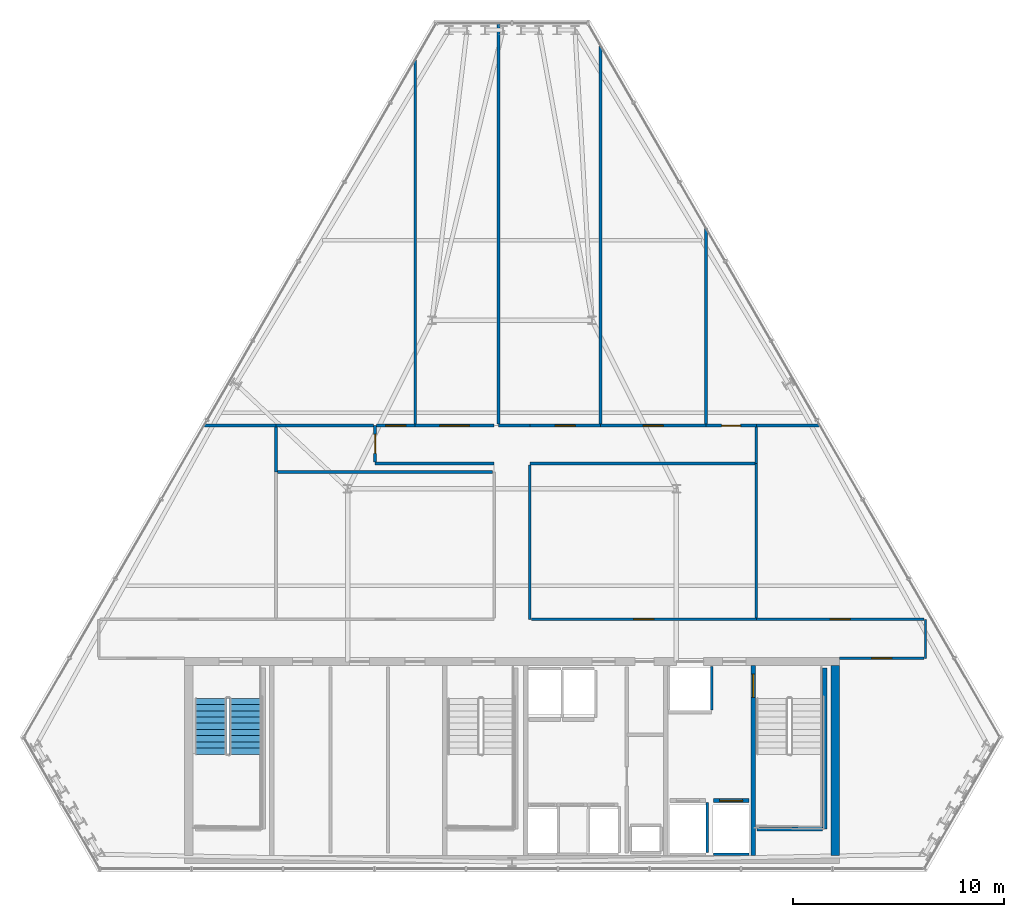
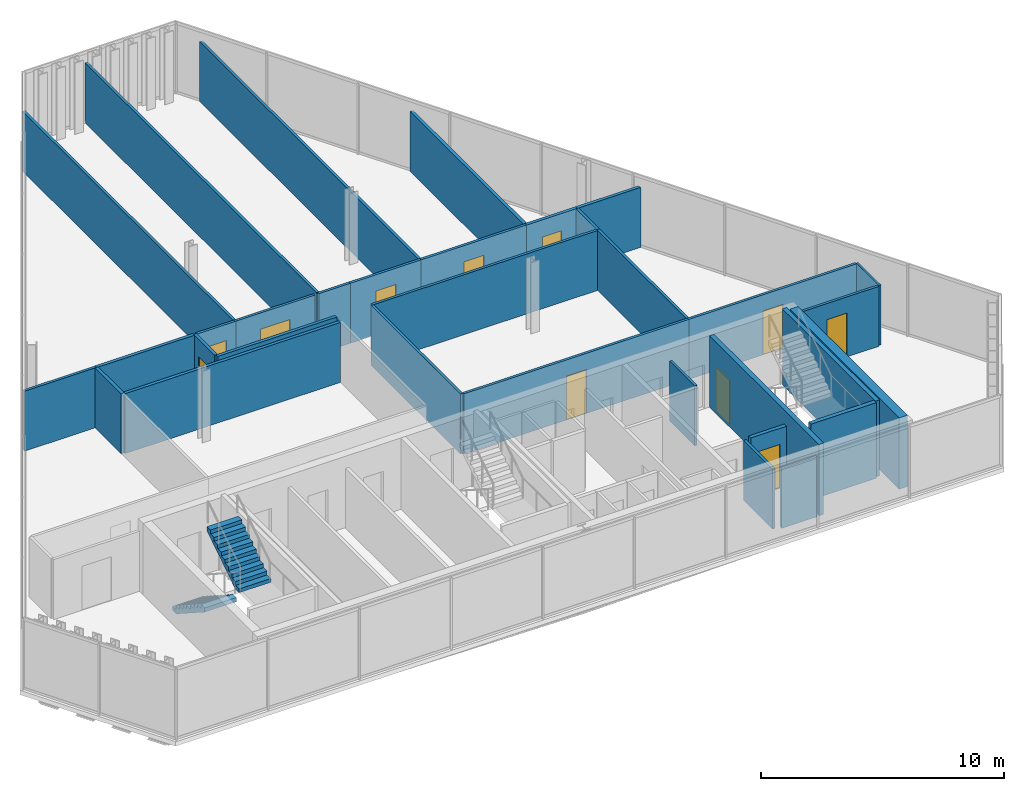
# One storey, part 25 of 29: 33 walls, 11 doors, 2 stair flights, 11 openings, 1 element without a shape of its own.
"""IFC4 building model written with IfcOpenShell, lengths in metres."""

from ifc_helpers import new_model, si_unit, direction, frame, frame_2d, origin, place, context, subcontext, project, spatial, polyline, rectangle, outline, extrude, material, layer, layer_set, type_object, element, fill, aggregate, save


model = new_model("IFC4")

# Units and contexts
model_context = context("Model", 3, precision=1e-05, world=origin(), true_north=direction((0.0, 1.0)))
body_context = subcontext(model_context, "Body", "Model", "MODEL_VIEW")
ifc_project = project(units=[si_unit("LENGTHUNIT", "METRE"), si_unit("AREAUNIT", "SQUARE_METRE"), si_unit("VOLUMEUNIT", "CUBIC_METRE"), si_unit("PLANEANGLEUNIT", "RADIAN"), si_unit("MASSUNIT", "GRAM", prefix="KILO")], contexts=[model_context])

# Site, building, storey
site_placement = place(None, origin())
site = spatial("IfcSite", under=ifc_project, at=site_placement, CompositionType="ELEMENT")
building_placement = place(site_placement, origin())
building = spatial("IfcBuilding", under=site, at=building_placement, Name="Ndaravel Arena Tower", CompositionType="ELEMENT")
storey_placement = place(building_placement, frame((0.0, 0.0, 233.199951171875)))
storey = spatial("IfcBuildingStorey", under=building, at=storey_placement, Name="L56", CompositionType="ELEMENT", Elevation=233.199951171875)

# Wall, opening, door
ifc_material_1 = material(Name="Concrete C50/60", Category="concrete")
ifc_layer_1 = layer(ifc_material_1, 0.219970703125)
ifc_layer_set_1 = layer_set([ifc_layer_1], Name="Concrete C50/60")
wall_type_1 = type_object("IfcWallType", Name="WALL-CORE-220", PredefinedType="SOLIDWALL", material=ifc_layer_set_1)
wall_1_placement = place(storey_placement, frame((53.449951171875, 5.800048828125, 0.0), z_axis=(0.0, 0.0, 1.0), x_axis=(0.0, 1.0, 0.0)))
wall_1 = element("IfcWall", 1, at=wall_1_placement, inside=storey, type_object=wall_type_1, Name="L56 Core Web Shear Wall 5", PredefinedType="SOLIDWALL", context=body_context, shape_type="SweptSolid", body=[
    extrude(rectangle(XDim=9.0, YDim=0.219970703125, at=frame_2d((4.5, 0.0))), origin(), (0.0, 0.0, 1.0), 3.580078125),
])
opening_1_placement = place(wall_1_placement, frame((7.5, 0.0, 0.0)))
opening_1 = element("IfcOpeningElement", 2, at=opening_1_placement, cuts=wall_1, Name="Opening FD-01", PredefinedType="OPENING", context=body_context, shape_type="SweptSolid", body=[
    extrude(rectangle(XDim=1.10009765625, YDim=2.199951171875, at=frame_2d((0.550048828125, 1.10009765625))), frame((0.0, 0.10986328125, 0.0), z_axis=(0.0, -1.0, 0.0), x_axis=(1.0, 0.0, 0.0)), (0.0, 0.0, 1.0), 0.219970703125),
])
ifc_material_2 = material(Name="Steel S355", Category="steel")
door_type_1 = type_object("IfcDoorType", Name="DT-01-STAIR-1100", OperationType="SINGLE_SWING_LEFT", PredefinedType="DOOR", material=ifc_material_2)
door_1_placement = place(opening_1_placement, origin())
door_1 = element("IfcDoor", 3, at=door_1_placement, inside=storey, type_object=door_type_1, Name="L56 Firefighting Lobby to ST-3 Door", OperationType="SINGLE_SWING_LEFT", OverallHeight=2.199951171875, OverallWidth=1.10009765625, PredefinedType="DOOR", context=body_context, shape_type="SweptSolid", body=[
    extrude(rectangle(XDim=1.10009765625, YDim=2.199951171875, at=frame_2d((0.550048828125, 1.10009765625))), frame((0.0, 0.02490234375, 0.0), z_axis=(0.0, -1.0, 0.0), x_axis=(1.0, 0.0, 0.0)), (0.0, 0.0, 1.0), 0.050048828125),
])
fill(opening_1, door_1)

# Walls
ifc_material_3 = material(Name="Concrete C50/60", Category="concrete")
ifc_layer_2 = layer(ifc_material_3, 0.39990234375)
ifc_layer_set_2 = layer_set([ifc_layer_2], Name="Concrete C50/60")
wall_type_2 = type_object("IfcWallType", Name="WALL-CORE-400", PredefinedType="SOLIDWALL", material=ifc_layer_set_2)
wall_2_placement = place(storey_placement, frame((57.35009765625, 5.800048828125, 0.0), z_axis=(0.0, 0.0, 1.0), x_axis=(0.0, 1.0, 0.0)))
element("IfcWall", 4, at=wall_2_placement, inside=storey, type_object=wall_type_2, Name="L56 Core East Shear Wall", PredefinedType="SOLIDWALL", context=body_context, shape_type="SweptSolid", body=[
    extrude(rectangle(XDim=9.0, YDim=0.39990234375, at=frame_2d((4.5, 0.0))), origin(), (0.0, 0.0, 1.0), 3.580078125),
])
ifc_material_4 = material(Name="Timber", Category="wood")
ifc_layer_3 = layer(ifc_material_4, 0.10009765625)
ifc_layer_set_3 = layer_set([ifc_layer_3], Name="Timber")
wall_type_3 = type_object("IfcWallType", Name="WALL-MOVABLE-100", PredefinedType="MOVABLE", material=ifc_layer_set_3)
wall_3_placement = place(storey_placement, frame((61.6220703125, 17.0, 0.0), z_axis=(0.0, 0.0, 1.0), x_axis=(0.0, -1.0, 0.0)))
element("IfcWall", 5, at=wall_3_placement, inside=storey, type_object=wall_type_3, Name="L56 Interior Partition 001", PredefinedType="MOVABLE", context=body_context, shape_type="SweptSolid", body=[
    extrude(rectangle(XDim=1.85009765625, YDim=0.10009765625, at=frame_2d((0.925048828125, 0.0))), origin(), (0.0, 0.0, 1.0), 3.010498046875),
])

# Wall, opening, door
ifc_material_5 = material(Name="Gypsum", Category="gypsum")
ifc_layer_4 = layer(ifc_material_5, 0.125)
ifc_layer_set_4 = layer_set([ifc_layer_4], Name="Gypsum")
wall_type_4 = type_object("IfcWallType", Name="WALL-PART-125", PredefinedType="PARTITIONING", material=ifc_layer_set_4)
wall_4_placement = place(storey_placement, frame((61.556884765625, 15.14990234375, 0.0), z_axis=(0.0, 0.0, 1.0), x_axis=(-1.0, 0.0, 0.0)))
wall_4 = element("IfcWall", 6, at=wall_4_placement, inside=storey, type_object=wall_type_4, Name="L56 Interior Partition 002", PredefinedType="PARTITIONING", context=body_context, shape_type="SweptSolid", body=[
    extrude(rectangle(XDim=4.0068359375, YDim=0.125, at=frame_2d((2.00341796875, 0.0))), origin(), (0.0, 0.0, 1.0), 3.010498046875),
])
opening_2_placement = place(wall_4_placement, frame((1.528564453125, 0.0, 0.0)))
opening_2 = element("IfcOpeningElement", 7, at=opening_2_placement, cuts=wall_4, Name="Opening ID-01", PredefinedType="OPENING", context=body_context, shape_type="SweptSolid", body=[
    extrude(rectangle(XDim=0.949951171875, YDim=2.199951171875, at=frame_2d((0.47509765625, 1.10009765625))), frame((0.0, 0.0625, 0.0), z_axis=(0.0, -1.0, 0.0), x_axis=(1.0, 0.0, 0.0)), (0.0, 0.0, 1.0), 0.125),
])
ifc_material_6 = material(Name="Timber", Category="wood")
door_type_2 = type_object("IfcDoorType", Name="DT-03-OFFICE-950", OperationType="SINGLE_SWING_LEFT", PredefinedType="DOOR", material=ifc_material_6)
door_2_placement = place(opening_2_placement, origin())
door_2 = element("IfcDoor", 8, at=door_2_placement, inside=storey, type_object=door_type_2, Name="L56 Floor Security Control Room Door", OperationType="SINGLE_SWING_RIGHT", OverallHeight=2.199951171875, OverallWidth=0.949951171875, PredefinedType="DOOR", context=body_context, shape_type="SweptSolid", body=[
    extrude(rectangle(XDim=0.949951171875, YDim=2.199951171875, at=frame_2d((0.47509765625, 1.10009765625))), frame((0.0, 0.02490234375, 0.0), z_axis=(0.0, -1.0, 0.0), x_axis=(1.0, 0.0, 0.0)), (0.0, 0.0, 1.0), 0.050048828125),
])
fill(opening_2, door_2)

wall_5_placement = place(storey_placement, frame((35.56494140625, 26.199951171875, 0.0), z_axis=(0.0, 0.0, 1.0), x_axis=(1.0, 0.0, 0.0)))
wall_5 = element("IfcWall", 9, at=wall_5_placement, inside=storey, type_object=wall_type_4, Name="L56 Interior Partition 010", PredefinedType="PARTITIONING", context=body_context, shape_type="SweptSolid", body=[
    extrude(rectangle(XDim=1.8349609375, YDim=0.125, at=frame_2d((0.91748046875, 0.0))), origin(), (0.0, 0.0, 1.0), 3.010498046875),
])
opening_3_placement = place(wall_5_placement, frame((0.4423828125, 0.0, 0.0)))
opening_3 = element("IfcOpeningElement", 10, at=opening_3_placement, cuts=wall_5, Name="Opening ID-01", PredefinedType="OPENING", context=body_context, shape_type="SweptSolid", body=[
    extrude(rectangle(XDim=0.949951171875, YDim=2.199951171875, at=frame_2d((0.47509765625, 1.10009765625))), frame((0.0, 0.0625, 0.0), z_axis=(0.0, -1.0, 0.0), x_axis=(1.0, 0.0, 0.0)), (0.0, 0.0, 1.0), 0.125),
])
door_3_placement = place(opening_3_placement, origin())
door_3 = element("IfcDoor", 11, at=door_3_placement, inside=storey, type_object=door_type_2, Name="L56 Tenant Mail & Post Room 2 Door", OperationType="SINGLE_SWING_LEFT", OverallHeight=2.199951171875, OverallWidth=0.949951171875, PredefinedType="DOOR", context=body_context, shape_type="SweptSolid", body=[
    extrude(rectangle(XDim=0.949951171875, YDim=2.199951171875, at=frame_2d((0.47509765625, 1.10009765625))), frame((0.0, 0.02490234375, 0.0), z_axis=(0.0, -1.0, 0.0), x_axis=(1.0, 0.0, 0.0)), (0.0, 0.0, 1.0), 0.050048828125),
])
fill(opening_3, door_3)

wall_6_placement = place(storey_placement, frame((37.39990234375, 26.199951171875, 0.0), z_axis=(0.0, 0.0, 1.0), x_axis=(1.0, 0.0, 0.0)))
wall_6 = element("IfcWall", 12, at=wall_6_placement, inside=storey, type_object=wall_type_4, Name="L56 Interior Partition 011", PredefinedType="PARTITIONING", context=body_context, shape_type="SweptSolid", body=[
    extrude(rectangle(XDim=3.75, YDim=0.125, at=frame_2d((1.875, 0.0))), origin(), (0.0, 0.0, 1.0), 3.010498046875),
])
opening_4_placement = place(wall_6_placement, frame((1.175048828125, 0.0, 0.0)))
opening_4 = element("IfcOpeningElement", 13, at=opening_4_placement, cuts=wall_6, Name="Opening ID-02", PredefinedType="OPENING", context=body_context, shape_type="SweptSolid", body=[
    extrude(rectangle(XDim=1.39990234375, YDim=2.199951171875, at=frame_2d((0.699951171875, 1.10009765625))), frame((0.0, 0.0625, 0.0), z_axis=(0.0, -1.0, 0.0), x_axis=(1.0, 0.0, 0.0)), (0.0, 0.0, 1.0), 0.125),
])
ifc_material_7 = material(Name="Timber", Category="wood")
door_type_3 = type_object("IfcDoorType", Name="DT-04-SUITE-1400", OperationType="DOUBLE_DOOR_SINGLE_SWING", PredefinedType="DOOR", material=ifc_material_7)
door_4_placement = place(opening_4_placement, origin())
door_4 = element("IfcDoor", 14, at=door_4_placement, inside=storey, type_object=door_type_3, Name="L56 Executive Dining Lounge 4 Door", OperationType="SINGLE_SWING_LEFT", OverallHeight=2.199951171875, OverallWidth=1.39990234375, PredefinedType="DOOR", context=body_context, shape_type="SweptSolid", body=[
    extrude(rectangle(XDim=1.39990234375, YDim=2.199951171875, at=frame_2d((0.699951171875, 1.10009765625))), frame((0.0, 0.02490234375, 0.0), z_axis=(0.0, -1.0, 0.0), x_axis=(1.0, 0.0, 0.0)), (0.0, 0.0, 1.0), 0.050048828125),
])
fill(opening_4, door_4)

# Wall
wall_7_placement = place(storey_placement, frame((41.360107421875, 26.199951171875, 0.0), z_axis=(0.0, 0.0, 1.0), x_axis=(1.0, 0.0, 0.0)))
element("IfcWall", 15, at=wall_7_placement, inside=storey, type_object=wall_type_4, Name="L56 Interior Partition 012", PredefinedType="PARTITIONING", context=body_context, shape_type="SweptSolid", body=[
    extrude(rectangle(XDim=1.489990234375, YDim=0.125, at=frame_2d((0.7451171875, 0.0))), origin(), (0.0, 0.0, 1.0), 3.010498046875),
])

# Wall, opening, door
wall_8_placement = place(storey_placement, frame((42.85009765625, 26.199951171875, 0.0), z_axis=(0.0, 0.0, 1.0), x_axis=(1.0, 0.0, 0.0)))
wall_8 = element("IfcWall", 16, at=wall_8_placement, inside=storey, type_object=wall_type_4, Name="L56 Interior Partition 013", PredefinedType="PARTITIONING", context=body_context, shape_type="SweptSolid", body=[
    extrude(rectangle(XDim=3.349853515625, YDim=0.125, at=frame_2d((1.6748046875, 0.0))), origin(), (0.0, 0.0, 1.0), 3.010498046875),
])
opening_5_placement = place(wall_8_placement, frame((1.199951171875, 0.0, 0.0)))
opening_5 = element("IfcOpeningElement", 17, at=opening_5_placement, cuts=wall_8, Name="Opening ID-01", PredefinedType="OPENING", context=body_context, shape_type="SweptSolid", body=[
    extrude(rectangle(XDim=0.949951171875, YDim=2.199951171875, at=frame_2d((0.47509765625, 1.10009765625))), frame((0.0, 0.0625, 0.0), z_axis=(0.0, -1.0, 0.0), x_axis=(1.0, 0.0, 0.0)), (0.0, 0.0, 1.0), 0.125),
])
door_5_placement = place(opening_5_placement, origin())
door_5 = element("IfcDoor", 18, at=door_5_placement, inside=storey, type_object=door_type_2, Name="L56 Crew Support Room 4 Door", OperationType="SINGLE_SWING_RIGHT", OverallHeight=2.199951171875, OverallWidth=0.949951171875, PredefinedType="DOOR", context=body_context, shape_type="SweptSolid", body=[
    extrude(rectangle(XDim=0.949951171875, YDim=2.199951171875, at=frame_2d((0.47509765625, 1.10009765625))), frame((0.0, 0.02490234375, 0.0), z_axis=(0.0, -1.0, 0.0), x_axis=(1.0, 0.0, 0.0)), (0.0, 0.0, 1.0), 0.050048828125),
])
fill(opening_5, door_5)

wall_9_placement = place(storey_placement, frame((46.199951171875, 26.199951171875, 0.0), z_axis=(0.0, 0.0, 1.0), x_axis=(1.0, 0.0, 0.0)))
wall_9 = element("IfcWall", 19, at=wall_9_placement, inside=storey, type_object=wall_type_4, Name="L56 Interior Partition 014", PredefinedType="PARTITIONING", context=body_context, shape_type="SweptSolid", body=[
    extrude(rectangle(XDim=5.001953125, YDim=0.125, at=frame_2d((2.5009765625, 0.0))), origin(), (0.0, 0.0, 1.0), 3.010498046875),
])
opening_6_placement = place(wall_9_placement, frame((2.02587890625, 0.0, 0.0)))
opening_6 = element("IfcOpeningElement", 20, at=opening_6_placement, cuts=wall_9, Name="Opening ID-01", PredefinedType="OPENING", context=body_context, shape_type="SweptSolid", body=[
    extrude(rectangle(XDim=0.949951171875, YDim=2.199951171875, at=frame_2d((0.47509765625, 1.10009765625))), frame((0.0, 0.0625, 0.0), z_axis=(0.0, -1.0, 0.0), x_axis=(1.0, 0.0, 0.0)), (0.0, 0.0, 1.0), 0.125),
])
door_6_placement = place(opening_6_placement, origin())
door_6 = element("IfcDoor", 21, at=door_6_placement, inside=storey, type_object=door_type_2, Name="L56 Facilities Operations Room 3 Door", OperationType="SINGLE_SWING_RIGHT", OverallHeight=2.199951171875, OverallWidth=0.949951171875, PredefinedType="DOOR", context=body_context, shape_type="SweptSolid", body=[
    extrude(rectangle(XDim=0.949951171875, YDim=2.199951171875, at=frame_2d((0.47509765625, 1.10009765625))), frame((0.0, 0.02490234375, 0.0), z_axis=(0.0, -1.0, 0.0), x_axis=(1.0, 0.0, 0.0)), (0.0, 0.0, 1.0), 0.050048828125),
])
fill(opening_6, door_6)

# Walls
wall_10_placement = place(storey_placement, frame((53.60009765625, 26.135009765625, 0.0), z_axis=(0.0, 0.0, 1.0), x_axis=(0.0, -1.0, 0.0)))
element("IfcWall", 22, at=wall_10_placement, inside=storey, type_object=wall_type_4, Name="L56 Interior Partition 016", PredefinedType="PARTITIONING", context=body_context, shape_type="SweptSolid", body=[
    extrude(rectangle(XDim=1.735107421875, YDim=0.125, at=frame_2d((0.86767578125, 0.0))), origin(), (0.0, 0.0, 1.0), 3.010498046875),
])
wall_11_placement = place(storey_placement, frame((53.534912109375, 24.39990234375, 0.0), z_axis=(0.0, 0.0, 1.0), x_axis=(-1.0, 0.0, 0.0)))
element("IfcWall", 23, at=wall_11_placement, inside=storey, type_object=wall_type_4, Name="L56 Interior Partition 017", PredefinedType="PARTITIONING", context=body_context, shape_type="SweptSolid", body=[
    extrude(rectangle(XDim=10.684814453125, YDim=0.125, at=frame_2d((5.34228515625, 0.0))), origin(), (0.0, 0.0, 1.0), 3.010498046875),
])
wall_12_placement = place(storey_placement, frame((42.85009765625, 24.3349609375, 0.0), z_axis=(0.0, 0.0, 1.0), x_axis=(0.0, -1.0, 0.0)))
element("IfcWall", 24, at=wall_12_placement, inside=storey, type_object=wall_type_4, Name="L56 Interior Partition 018", PredefinedType="PARTITIONING", context=body_context, shape_type="SweptSolid", body=[
    extrude(rectangle(XDim=7.3349609375, YDim=0.125, at=frame_2d((3.66748046875, 0.0))), origin(), (0.0, 0.0, 1.0), 3.010498046875),
])

# Wall, opening, door
wall_13_placement = place(storey_placement, frame((42.9150390625, 17.0, 0.0), z_axis=(0.0, 0.0, 1.0), x_axis=(1.0, 0.0, 0.0)))
wall_13 = element("IfcWall", 25, at=wall_13_placement, inside=storey, type_object=wall_type_4, Name="L56 Interior Partition 019", PredefinedType="PARTITIONING", context=body_context, shape_type="SweptSolid", body=[
    extrude(rectangle(XDim=10.68505859375, YDim=0.125, at=frame_2d((5.342529296875, 0.0))), origin(), (0.0, 0.0, 1.0), 3.010498046875),
])
opening_7_placement = place(wall_13_placement, frame((4.867431640625, 0.0, 0.0)))
opening_7 = element("IfcOpeningElement", 26, at=opening_7_placement, cuts=wall_13, Name="Opening ID-01", PredefinedType="OPENING", context=body_context, shape_type="SweptSolid", body=[
    extrude(rectangle(XDim=0.949951171875, YDim=2.199951171875, at=frame_2d((0.47509765625, 1.10009765625))), frame((0.0, 0.0625, 0.0), z_axis=(0.0, -1.0, 0.0), x_axis=(1.0, 0.0, 0.0)), (0.0, 0.0, 1.0), 0.125),
])
door_7_placement = place(opening_7_placement, origin())
door_7 = element("IfcDoor", 27, at=door_7_placement, inside=storey, type_object=door_type_2, Name="L56 Design Bookshop Boutique Door", OperationType="SINGLE_SWING_RIGHT", OverallHeight=2.199951171875, OverallWidth=0.949951171875, PredefinedType="DOOR", context=body_context, shape_type="SweptSolid", body=[
    extrude(rectangle(XDim=0.949951171875, YDim=2.199951171875, at=frame_2d((0.47509765625, 1.10009765625))), frame((0.0, 0.02490234375, 0.0), z_axis=(0.0, -1.0, 0.0), x_axis=(1.0, 0.0, 0.0)), (0.0, 0.0, 1.0), 0.050048828125),
])
fill(opening_7, door_7)

wall_14_placement = place(storey_placement, frame((53.60009765625, 17.0, 0.0), z_axis=(0.0, 0.0, 1.0), x_axis=(1.0, 0.0, 0.0)))
wall_14 = element("IfcWall", 28, at=wall_14_placement, inside=storey, type_object=wall_type_4, Name="L56 Interior Partition 020", PredefinedType="PARTITIONING", context=body_context, shape_type="SweptSolid", body=[
    extrude(rectangle(XDim=7.956787109375, YDim=0.125, at=frame_2d((3.978515625, 0.0))), origin(), (0.0, 0.0, 1.0), 3.010498046875),
])
opening_8_placement = place(wall_14_placement, frame((3.50341796875, 0.0, 0.0)))
opening_8 = element("IfcOpeningElement", 29, at=opening_8_placement, cuts=wall_14, Name="Opening ID-01", PredefinedType="OPENING", context=body_context, shape_type="SweptSolid", body=[
    extrude(rectangle(XDim=0.949951171875, YDim=2.199951171875, at=frame_2d((0.47509765625, 1.10009765625))), frame((0.0, 0.0625, 0.0), z_axis=(0.0, -1.0, 0.0), x_axis=(1.0, 0.0, 0.0)), (0.0, 0.0, 1.0), 0.125),
])
door_8_placement = place(opening_8_placement, origin())
door_8 = element("IfcDoor", 30, at=door_8_placement, inside=storey, type_object=door_type_2, Name="L56 Hospitality Sitting Room 2 Door", OperationType="SINGLE_SWING_LEFT", OverallHeight=2.199951171875, OverallWidth=0.949951171875, PredefinedType="DOOR", context=body_context, shape_type="SweptSolid", body=[
    extrude(rectangle(XDim=0.949951171875, YDim=2.199951171875, at=frame_2d((0.47509765625, 1.10009765625))), frame((0.0, 0.02490234375, 0.0), z_axis=(0.0, -1.0, 0.0), x_axis=(1.0, 0.0, 0.0)), (0.0, 0.0, 1.0), 0.050048828125),
])
fill(opening_8, door_8)

# Walls
wall_15_placement = place(storey_placement, frame((53.60009765625, 24.39990234375, 0.0), z_axis=(0.0, 0.0, 1.0), x_axis=(0.0, -1.0, 0.0)))
element("IfcWall", 31, at=wall_15_placement, inside=storey, type_object=wall_type_4, Name="L56 Interior Partition 023", PredefinedType="PARTITIONING", context=body_context, shape_type="SweptSolid", body=[
    extrude(rectangle(XDim=7.3349609375, YDim=0.125, at=frame_2d((3.66748046875, 0.0))), origin(), (0.0, 0.0, 1.0), 3.010498046875),
])
wall_16_placement = place(storey_placement, frame((27.37939453125, 26.199951171875, 0.0), z_axis=(0.0, 0.0, 1.0), x_axis=(1.0, 0.0, 0.0)))
element("IfcWall", 32, at=wall_16_placement, inside=storey, type_object=wall_type_4, Name="L56 Interior Partition 025", PredefinedType="PARTITIONING", context=body_context, shape_type="SweptSolid", body=[
    extrude(rectangle(XDim=3.420654296875, YDim=0.125, at=frame_2d((1.71044921875, 0.0))), origin(), (0.0, 0.0, 1.0), 3.010498046875),
])
wall_17_placement = place(storey_placement, frame((37.39990234375, 43.556396484375, 0.0), z_axis=(0.0, 0.0, 1.0), x_axis=(0.0, -1.0, 0.0)))
element("IfcWall", 33, at=wall_17_placement, inside=storey, type_object=wall_type_4, Name="L56 Interior Partition 029", PredefinedType="PARTITIONING", context=body_context, shape_type="SweptSolid", body=[
    extrude(rectangle(XDim=17.29150390625, YDim=0.125, at=frame_2d((8.645751953125, 0.0))), origin(), (0.0, 0.0, 1.0), 3.010498046875),
])
wall_18_placement = place(storey_placement, frame((46.199951171875, 26.264892578125, 0.0), z_axis=(0.0, 0.0, 1.0), x_axis=(0.0, 1.0, 0.0)))
element("IfcWall", 34, at=wall_18_placement, inside=storey, type_object=wall_type_4, Name="L56 Interior Partition 030", PredefinedType="PARTITIONING", context=body_context, shape_type="SweptSolid", body=[
    extrude(rectangle(XDim=17.984375, YDim=0.125, at=frame_2d((8.9921875, 0.0))), origin(), (0.0, 0.0, 1.0), 3.010498046875),
])
wall_19_placement = place(storey_placement, frame((41.360107421875, 45.288818359375, 0.0), z_axis=(0.0, 0.0, 1.0), x_axis=(0.0, -1.0, 0.0)))
element("IfcWall", 35, at=wall_19_placement, inside=storey, type_object=wall_type_4, Name="L56 Interior Partition 031", PredefinedType="PARTITIONING", context=body_context, shape_type="SweptSolid", body=[
    extrude(rectangle(XDim=19.02392578125, YDim=0.125, at=frame_2d((9.511962890625, 0.0))), origin(), (0.0, 0.0, 1.0), 3.010498046875),
])
ifc_material_8 = material(Name="Concrete C40/50", Category="concrete")
ifc_layer_5 = layer(ifc_material_8, 0.1201171875)
ifc_layer_set_5 = layer_set([ifc_layer_5], Name="Concrete C40/50")
wall_type_5 = type_object("IfcWallType", Name="WALL-SHAFT-120", PredefinedType="SOLIDWALL", material=ifc_layer_set_5)
wall_20_placement = place(storey_placement, frame((51.27490234375, 5.929931640625, 0.0), z_axis=(0.0, 0.0, 1.0), x_axis=(0.0, 1.0, 0.0)))
element("IfcWall", 36, at=wall_20_placement, inside=storey, type_object=wall_type_5, Name="L56 FFL-1 Shaft Side R Wall", PredefinedType="SOLIDWALL", context=body_context, shape_type="SweptSolid", body=[
    extrude(rectangle(XDim=2.380126953125, YDim=0.1201171875, at=frame_2d((1.18994140625, 0.0))), origin(), (0.0, 0.0, 1.0), 3.010498046875),
])
wall_21_placement = place(storey_placement, frame((51.554931640625, 5.840087890625, 0.0), z_axis=(0.0, 0.0, 1.0), x_axis=(1.0, 0.0, 0.0)))
element("IfcWall", 37, at=wall_21_placement, inside=storey, type_object=wall_type_5, Name="L56 FFL-2 Shaft Rear Wall", PredefinedType="SOLIDWALL", context=body_context, shape_type="SweptSolid", body=[
    extrude(rectangle(XDim=1.690185546875, YDim=0.1201171875, at=frame_2d((0.84521484375, 0.0))), origin(), (0.0, 0.0, 1.0), 3.010498046875),
])
wall_22_placement = place(storey_placement, frame((51.47998046875, 12.68994140625, 0.0), z_axis=(0.0, 0.0, 1.0), x_axis=(0.0, 1.0, 0.0)))
element("IfcWall", 38, at=wall_22_placement, inside=storey, type_object=wall_type_5, Name="L56 SVL-1 Shaft E Wall", PredefinedType="SOLIDWALL", context=body_context, shape_type="SweptSolid", body=[
    extrude(rectangle(XDim=2.070068359375, YDim=0.1201171875, at=frame_2d((1.03515625, 0.0))), origin(), (0.0, 0.0, 1.0), 3.010498046875),
])
ifc_material_9 = material(Name="Concrete C40/50", Category="concrete")
ifc_layer_6 = layer(ifc_material_9, 0.199951171875)
ifc_layer_set_6 = layer_set([ifc_layer_6], Name="Concrete C40/50")
wall_type_6 = type_object("IfcWallType", Name="WALL-SHAFT-200", PredefinedType="SOLIDWALL", material=ifc_layer_set_6)
wall_23_placement = place(storey_placement, frame((56.840087890625, 14.699951171875, 0.0), z_axis=(0.0, 0.0, 1.0), x_axis=(0.0, -1.0, 0.0)))
element("IfcWall", 39, at=wall_23_placement, inside=storey, type_object=wall_type_6, Name="L56 ST-3 Structural Shaft Wall Right", PredefinedType="SOLIDWALL", context=body_context, shape_type="SweptSolid", body=[
    extrude(rectangle(XDim=7.64990234375, YDim=0.199951171875, at=frame_2d((3.824951171875, 0.0))), origin(), (0.0, 0.0, 1.0), 3.800048828125),
])
wall_24_placement = place(storey_placement, frame((53.6201171875, 7.050048828125, 0.0), z_axis=(0.0, 0.0, 1.0), x_axis=(1.0, 0.0, 0.0)))
element("IfcWall", 40, at=wall_24_placement, inside=storey, type_object=wall_type_6, Name="L56 ST-3 Structural Shaft Wall Far", PredefinedType="SOLIDWALL", context=body_context, shape_type="SweptSolid", body=[
    extrude(rectangle(XDim=3.114990234375, YDim=0.199951171875, at=frame_2d((1.5576171875, 0.0))), origin(), (0.0, 0.0, 1.0), 3.800048828125),
])

# Wall, opening, door
wall_25_placement = place(storey_placement, frame((51.554931640625, 8.39990234375, 0.0), z_axis=(0.0, 0.0, 1.0), x_axis=(1.0, 0.0, 0.0)))
wall_25 = element("IfcWall", 41, at=wall_25_placement, inside=storey, type_object=wall_type_6, Name="L56 FFL-2 Shaft Landing Wall", PredefinedType="SOLIDWALL", context=body_context, shape_type="SweptSolid", body=[
    extrude(rectangle(XDim=1.690185546875, YDim=0.179931640625, at=frame_2d((0.84521484375, 0.0))), origin(), (0.0, 0.0, 1.0), 3.010498046875),
])
opening_9_placement = place(wall_25_placement, frame((0.294921875, 0.0, 0.0)))
opening_9 = element("IfcOpeningElement", 42, at=opening_9_placement, cuts=wall_25, Name="Opening LD-01", PredefinedType="OPENING", context=body_context, shape_type="SweptSolid", body=[
    extrude(rectangle(XDim=1.10009765625, YDim=2.199951171875, at=frame_2d((0.550048828125, 1.10009765625))), frame((0.0, 0.08984375, 0.0), z_axis=(0.0, -1.0, 0.0), x_axis=(1.0, 0.0, 0.0)), (0.0, 0.0, 1.0), 0.179931640625),
])
ifc_material_10 = material(Name="Steel S355", Category="steel")
door_type_4 = type_object("IfcDoorType", Name="DT-06-LIFT-1100", OperationType="SLIDING_TO_LEFT", PredefinedType="DOOR", material=ifc_material_10)
door_9_placement = place(opening_9_placement, origin())
door_9 = element("IfcDoor", 43, at=door_9_placement, inside=storey, type_object=door_type_4, Name="L56 Lift FFL-2 Sliding Landing Door", OperationType="SLIDING_TO_LEFT", OverallHeight=2.199951171875, OverallWidth=1.10009765625, PredefinedType="DOOR", context=body_context, shape_type="SweptSolid", body=[
    extrude(rectangle(XDim=1.10009765625, YDim=2.199951171875, at=frame_2d((0.550048828125, 1.10009765625))), frame((0.0, 0.02490234375, 0.0), z_axis=(0.0, -1.0, 0.0), x_axis=(1.0, 0.0, 0.0)), (0.0, 0.0, 1.0), 0.050048828125),
])
fill(opening_9, door_9)

# Wall
ifc_material_11 = material(Name="Masonry", Category="masonry")
ifc_layer_7 = layer(ifc_material_11, 0.14990234375)
ifc_layer_set_7 = layer_set([ifc_layer_7], Name="Masonry")
wall_type_7 = type_object("IfcWallType", Name="WALL-WET-150", PredefinedType="PARTITIONING", material=ifc_layer_set_7)
wall_26_placement = place(storey_placement, frame((41.14990234375, 24.39990234375, 0.0), z_axis=(0.0, 0.0, 1.0), x_axis=(-1.0, 0.0, 0.0)))
element("IfcWall", 44, at=wall_26_placement, inside=storey, type_object=wall_type_7, Name="L56 Interior Partition 008", PredefinedType="PARTITIONING", context=body_context, shape_type="SweptSolid", body=[
    extrude(rectangle(XDim=5.64990234375, YDim=0.14990234375, at=frame_2d((2.824951171875, 0.0))), origin(), (0.0, 0.0, 1.0), 3.010498046875),
])

# Wall, opening, door
wall_27_placement = place(storey_placement, frame((35.5, 24.465087890625, 0.0), z_axis=(0.0, 0.0, 1.0), x_axis=(0.0, 1.0, 0.0)))
wall_27 = element("IfcWall", 45, at=wall_27_placement, inside=storey, type_object=wall_type_7, Name="L56 Interior Partition 009", PredefinedType="PARTITIONING", context=body_context, shape_type="SweptSolid", body=[
    extrude(rectangle(XDim=1.73486328125, YDim=0.14990234375, at=frame_2d((0.867431640625, 0.0))), origin(), (0.0, 0.0, 1.0), 3.010498046875),
])
opening_10_placement = place(wall_27_placement, frame((0.41748046875, 0.0, 0.0)))
opening_10 = element("IfcOpeningElement", 46, at=opening_10_placement, cuts=wall_27, Name="Opening WD-01", PredefinedType="OPENING", context=body_context, shape_type="SweptSolid", body=[
    extrude(rectangle(XDim=0.89990234375, YDim=2.14990234375, at=frame_2d((0.449951171875, 1.074951171875))), frame((0.0, 0.074951171875, 0.0), z_axis=(0.0, -1.0, 0.0), x_axis=(1.0, 0.0, 0.0)), (0.0, 0.0, 1.0), 0.14990234375),
])
ifc_material_12 = material(Name="Timber", Category="wood")
door_type_5 = type_object("IfcDoorType", Name="DT-05-WC-900", OperationType="SINGLE_SWING_LEFT", PredefinedType="DOOR", material=ifc_material_12)
door_10_placement = place(opening_10_placement, origin())
door_10 = element("IfcDoor", 47, at=door_10_placement, inside=storey, type_object=door_type_5, Name="L56 Male Staff & Visitor Restroom Door", OperationType="SINGLE_SWING_LEFT", OverallHeight=2.14990234375, OverallWidth=0.89990234375, PredefinedType="DOOR", context=body_context, shape_type="SweptSolid", body=[
    extrude(rectangle(XDim=0.89990234375, YDim=2.14990234375, at=frame_2d((0.449951171875, 1.074951171875))), frame((0.0, 0.02490234375, 0.0), z_axis=(0.0, -1.0, 0.0), x_axis=(1.0, 0.0, 0.0)), (0.0, 0.0, 1.0), 0.050048828125),
])
fill(opening_10, door_10)

wall_28_placement = place(storey_placement, frame((51.201904296875, 26.199951171875, 0.0), z_axis=(0.0, 0.0, 1.0), x_axis=(1.0, 0.0, 0.0)))
wall_28 = element("IfcWall", 48, at=wall_28_placement, inside=storey, type_object=wall_type_7, Name="L56 Interior Partition 015", PredefinedType="PARTITIONING", context=body_context, shape_type="SweptSolid", body=[
    extrude(rectangle(XDim=2.398193359375, YDim=0.14990234375, at=frame_2d((1.19921875, 0.0))), origin(), (0.0, 0.0, 1.0), 3.010498046875),
])
opening_11_placement = place(wall_28_placement, frame((0.7490234375, 0.0, 0.0)))
opening_11 = element("IfcOpeningElement", 49, at=opening_11_placement, cuts=wall_28, Name="Opening WD-01", PredefinedType="OPENING", context=body_context, shape_type="SweptSolid", body=[
    extrude(rectangle(XDim=0.89990234375, YDim=2.14990234375, at=frame_2d((0.449951171875, 1.074951171875))), frame((0.0, 0.074951171875, 0.0), z_axis=(0.0, -1.0, 0.0), x_axis=(1.0, 0.0, 0.0)), (0.0, 0.0, 1.0), 0.14990234375),
])
door_11_placement = place(opening_11_placement, origin())
door_11 = element("IfcDoor", 50, at=door_11_placement, inside=storey, type_object=door_type_5, Name="L56 Female & Accessible Restroom Door", OperationType="SINGLE_SWING_RIGHT", OverallHeight=2.14990234375, OverallWidth=0.89990234375, PredefinedType="DOOR", context=body_context, shape_type="SweptSolid", body=[
    extrude(rectangle(XDim=0.89990234375, YDim=2.14990234375, at=frame_2d((0.449951171875, 1.074951171875))), frame((0.0, 0.02490234375, 0.0), z_axis=(0.0, -1.0, 0.0), x_axis=(1.0, 0.0, 0.0)), (0.0, 0.0, 1.0), 0.050048828125),
])
fill(opening_11, door_11)

# Walls
wall_29_placement = place(storey_placement, frame((30.864990234375, 23.991943359375, 0.0), z_axis=(0.0, 0.0, 1.0), x_axis=(1.0, 0.0, 0.0)))
element("IfcWall", 51, at=wall_29_placement, inside=storey, type_object=wall_type_7, Name="L56 Interior Partition 022", PredefinedType="PARTITIONING", context=body_context, shape_type="SweptSolid", body=[
    extrude(rectangle(XDim=10.219970703125, YDim=0.14990234375, at=frame_2d((5.10986328125, 0.0))), origin(), (0.0, 0.0, 1.0), 3.010498046875),
])
wall_30_placement = place(storey_placement, frame((53.60009765625, 26.199951171875, 0.0), z_axis=(0.0, 0.0, 1.0), x_axis=(1.0, 0.0, 0.0)))
element("IfcWall", 52, at=wall_30_placement, inside=storey, type_object=wall_type_7, Name="L56 Interior Partition 024", PredefinedType="PARTITIONING", context=body_context, shape_type="SweptSolid", body=[
    extrude(rectangle(XDim=3.0205078125, YDim=0.14990234375, at=frame_2d((1.51025390625, 0.0))), origin(), (0.0, 0.0, 1.0), 3.010498046875),
])
wall_31_placement = place(storey_placement, frame((30.800048828125, 26.135009765625, 0.0), z_axis=(0.0, 0.0, 1.0), x_axis=(0.0, -1.0, 0.0)))
element("IfcWall", 53, at=wall_31_placement, inside=storey, type_object=wall_type_7, Name="L56 Interior Partition 026", PredefinedType="PARTITIONING", context=body_context, shape_type="SweptSolid", body=[
    extrude(rectangle(XDim=2.14306640625, YDim=0.14990234375, at=frame_2d((1.071533203125, 0.0))), origin(), (0.0, 0.0, 1.0), 3.010498046875),
])
wall_32_placement = place(storey_placement, frame((30.800048828125, 26.199951171875, 0.0), z_axis=(0.0, 0.0, 1.0), x_axis=(1.0, 0.0, 0.0)))
element("IfcWall", 54, at=wall_32_placement, inside=storey, type_object=wall_type_7, Name="L56 Interior Partition 027", PredefinedType="PARTITIONING", context=body_context, shape_type="SweptSolid", body=[
    extrude(rectangle(XDim=4.635009765625, YDim=0.14990234375, at=frame_2d((2.3173828125, 0.0))), origin(), (0.0, 0.0, 1.0), 3.010498046875),
])
wall_33_placement = place(storey_placement, frame((51.201904296875, 26.264892578125, 0.0), z_axis=(0.0, 0.0, 1.0), x_axis=(0.0, 1.0, 0.0)))
element("IfcWall", 55, at=wall_33_placement, inside=storey, type_object=wall_type_7, Name="L56 Interior Partition 028", PredefinedType="PARTITIONING", context=body_context, shape_type="SweptSolid", body=[
    extrude(rectangle(XDim=9.32080078125, YDim=0.14990234375, at=frame_2d((4.660400390625, 0.0))), origin(), (0.0, 0.0, 1.0), 3.010498046875),
])

# Stair, stair flights
ifc_material_13 = material(Name="Concrete C40/50", Category="concrete")
stair_type = type_object("IfcStairType", Name="STAIR-CORE-HT", PredefinedType="HALF_TURN_STAIR", material=ifc_material_13)
stair_placement = place(storey_placement, origin())
stair = element("IfcStair", 56, at=stair_placement, inside=storey, type_object=stair_type, Name="L56 ST-1", PredefinedType="HALF_TURN_STAIR")
ifc_material_14 = material(Name="Concrete C40/50", Category="concrete")
stair_flight_type = type_object("IfcStairFlightType", Name="SFLIGHT-CORE-1680", PredefinedType="STRAIGHT", material=ifc_material_14)
stair_flight_1_placement = place(storey_placement, frame((27.699951171875, 13.25, 0.0), z_axis=(0.0, 0.0, 1.0), x_axis=(0.0, -1.0, 0.0)))
stair_flight_1 = element("IfcStairFlight", 57, at=stair_flight_1_placement, type_object=stair_flight_type, Name="ST-1 flight 1", NumberOfRisers=10, NumberOfTreads=9, PredefinedType="STRAIGHT", RiserHeight=0.19, TreadLength=0.295, context=body_context, shape_type="SweptSolid", body=[
    extrude(outline(polyline([(0.0, 0.0), (0.0, 0.18994140625), (0.294921875, 0.18994140625), (0.294921875, 0.3798828125), (0.590087890625, 0.3798828125), (0.590087890625, 0.570068359375), (0.885009765625, 0.570068359375), (0.885009765625, 0.760009765625), (1.179931640625, 0.760009765625), (1.179931640625, 0.949951171875), (1.47509765625, 0.949951171875), (1.47509765625, 1.139892578125), (1.77001953125, 1.139892578125), (1.77001953125, 1.330078125), (2.06494140625, 1.330078125), (2.06494140625, 1.52001953125), (2.360107421875, 1.52001953125), (2.360107421875, 1.7099609375), (2.655029296875, 1.7099609375), (2.655029296875, 1.89990234375), (2.655029296875, 1.49609375), (0.332275390625, 0.0), (0.0, 0.0)])), frame((0.0, 0.75, 0.0), z_axis=(0.0, -1.0, 0.0), x_axis=(1.0, 0.0, 0.0)), (0.0, 0.0, 1.0), 1.5),
])
stair_flight_2_placement = place(storey_placement, frame((29.340087890625, 10.594970703125, 1.900146484375), z_axis=(0.0, 0.0, 1.0), x_axis=(0.0, 1.0, 0.0)))
stair_flight_2 = element("IfcStairFlight", 58, at=stair_flight_2_placement, type_object=stair_flight_type, Name="ST-1 flight 2", NumberOfRisers=10, NumberOfTreads=9, PredefinedType="STRAIGHT", RiserHeight=0.19, TreadLength=0.295, context=body_context, shape_type="SweptSolid", body=[
    extrude(outline(polyline([(0.0, 0.0), (0.0, 0.18994140625), (0.294921875, 0.18994140625), (0.294921875, 0.3798828125), (0.590087890625, 0.3798828125), (0.590087890625, 0.570068359375), (0.885009765625, 0.570068359375), (0.885009765625, 0.760009765625), (1.179931640625, 0.760009765625), (1.179931640625, 0.949951171875), (1.47509765625, 0.949951171875), (1.47509765625, 1.139892578125), (1.77001953125, 1.139892578125), (1.77001953125, 1.330078125), (2.06494140625, 1.330078125), (2.06494140625, 1.52001953125), (2.360107421875, 1.52001953125), (2.360107421875, 1.7099609375), (2.655029296875, 1.7099609375), (2.655029296875, 1.89990234375), (2.655029296875, 1.49609375), (0.332275390625, 0.0), (0.0, 0.0)])), frame((0.0, 0.75, 0.0), z_axis=(0.0, -1.0, 0.0), x_axis=(1.0, 0.0, 0.0)), (0.0, 0.0, 1.0), 1.5),
])
aggregate(stair, [stair_flight_1, stair_flight_2])

save(model, "model.ifc")
